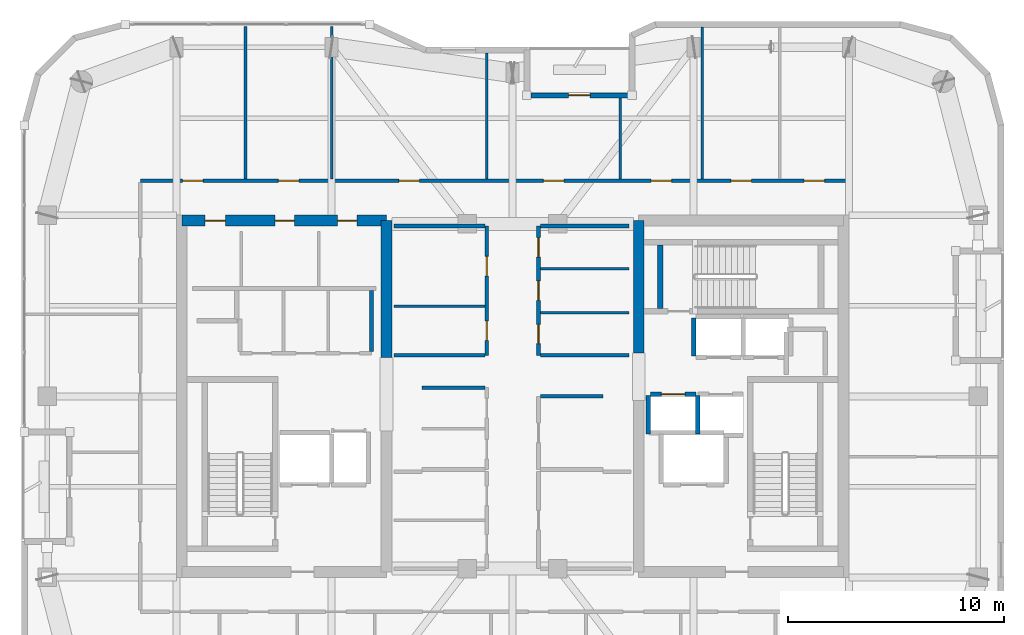
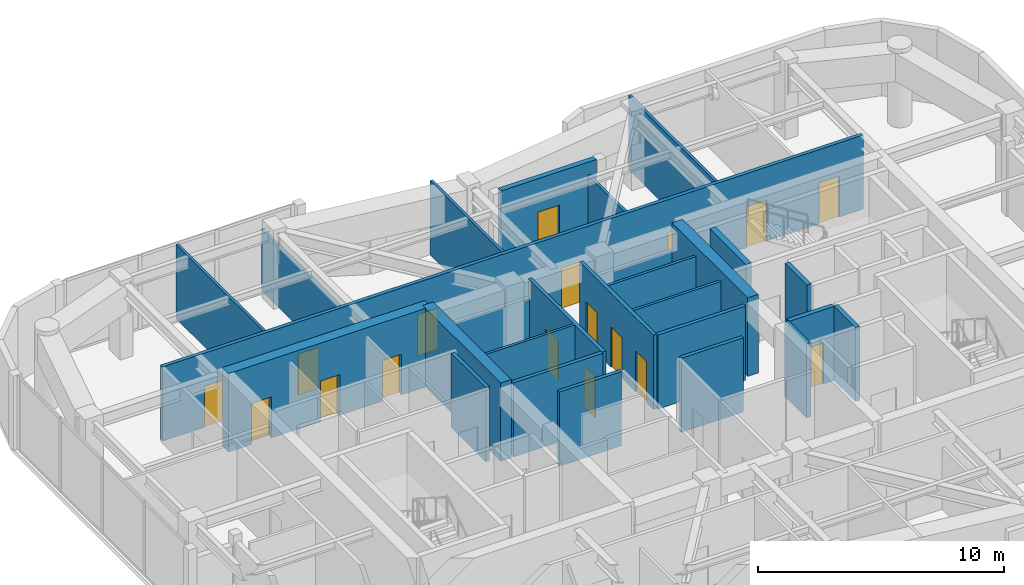
# One storey, part 12 of 16: 27 walls, 17 doors, 17 openings.
"""IFC4 building model written with IfcOpenShell, lengths in metres."""

from ifc_helpers import new_model, si_unit, direction, frame, frame_2d, origin, place, context, subcontext, project, spatial, rectangle, extrude, material, layer, layer_set, type_object, element, fill, save


model = new_model("IFC4")

# Units and contexts
model_context = context("Model", 3, precision=1e-05, world=origin(), true_north=direction((0.0, 1.0)))
body_context = subcontext(model_context, "Body", "Model", "MODEL_VIEW")
ifc_project = project(units=[si_unit("LENGTHUNIT", "METRE"), si_unit("AREAUNIT", "SQUARE_METRE"), si_unit("VOLUMEUNIT", "CUBIC_METRE"), si_unit("PLANEANGLEUNIT", "RADIAN"), si_unit("MASSUNIT", "GRAM", prefix="KILO")], contexts=[model_context])

# Site, building, storey
site_placement = place(None, origin())
site = spatial("IfcSite", under=ifc_project, at=site_placement, CompositionType="ELEMENT")
building_placement = place(site_placement, origin())
building = spatial("IfcBuilding", under=site, at=building_placement, Name="Kiyonajd Concourse Tower", CompositionType="ELEMENT")
storey_placement = place(building_placement, frame((0.0, 0.0, 306.300048828125)))
storey = spatial("IfcBuildingStorey", under=building, at=storey_placement, Name="L77", CompositionType="ELEMENT", Elevation=306.300048828125)

# Wall
ifc_material_1 = material(Name="Concrete C60/75", Category="concrete")
ifc_layer_1 = layer(ifc_material_1, 0.5)
ifc_layer_set_1 = layer_set([ifc_layer_1], Name="Concrete C60/75")
wall_type_1 = type_object("IfcWallType", Name="WL-CORE-500", PredefinedType="SHEAR", material=ifc_layer_set_1)
wall_1_placement = place(storey_placement, frame((42.14990234375, 37.800048828125, 0.0), z_axis=(0.0, 0.0, 1.0), x_axis=(0.0, 1.0, 0.0)))
element("IfcWall", 1, at=wall_1_placement, inside=storey, type_object=wall_type_1, Name="L77 West Core Inner North Shear Wall", PredefinedType="SHEAR", context=body_context, shape_type="SweptSolid", body=[
    extrude(rectangle(XDim=6.349853515625, YDim=0.5, at=frame_2d((3.1748046875, 0.0))), origin(), (0.0, 0.0, 1.0), 3.89990234375),
])

# Wall, openings, doors
wall_2_placement = place(storey_placement, frame((32.64990234375, 44.14990234375, 0.0), z_axis=(0.0, 0.0, 1.0), x_axis=(1.0, 0.0, 0.0)))
wall_2 = element("IfcWall", 2, at=wall_2_placement, inside=storey, type_object=wall_type_1, Name="L77 West Core North Shear Wall", PredefinedType="SHEAR", context=body_context, shape_type="SweptSolid", body=[
    extrude(rectangle(XDim=9.5, YDim=0.5, at=frame_2d((4.75, 0.0))), origin(), (0.0, 0.0, 1.0), 3.89990234375),
])
opening_1_placement = place(wall_2_placement, frame((1.074951171875, 0.0, 0.0)))
opening_1 = element("IfcOpeningElement", 3, at=opening_1_placement, cuts=wall_2, Name="Opening DI1", PredefinedType="OPENING", context=body_context, shape_type="SweptSolid", body=[
    extrude(rectangle(XDim=0.949951171875, YDim=2.0400390625, at=frame_2d((0.47509765625, 1.02001953125))), frame((0.0, 0.260009765625, 0.0), z_axis=(0.0, -1.0, 0.0), x_axis=(1.0, 0.0, 0.0)), (0.0, 0.0, 1.0), 0.52001953125),
])
opening_2_placement = place(wall_2_placement, frame((4.324951171875, 0.0, 0.0)))
opening_2 = element("IfcOpeningElement", 4, at=opening_2_placement, cuts=wall_2, Name="Opening DI2", PredefinedType="OPENING", context=body_context, shape_type="SweptSolid", body=[
    extrude(rectangle(XDim=0.89990234375, YDim=2.02001953125, at=frame_2d((0.449951171875, 1.010009765625))), frame((0.0, 0.260009765625, 0.0), z_axis=(0.0, -1.0, 0.0), x_axis=(1.0, 0.0, 0.0)), (0.0, 0.0, 1.0), 0.52001953125),
])
opening_3_placement = place(wall_2_placement, frame((7.22509765625, 0.0, 0.0)))
opening_3 = element("IfcOpeningElement", 5, at=opening_3_placement, cuts=wall_2, Name="Opening DI2", PredefinedType="OPENING", context=body_context, shape_type="SweptSolid", body=[
    extrude(rectangle(XDim=0.89990234375, YDim=2.02001953125, at=frame_2d((0.449951171875, 1.010009765625))), frame((0.0, 0.260009765625, 0.0), z_axis=(0.0, -1.0, 0.0), x_axis=(1.0, 0.0, 0.0)), (0.0, 0.0, 1.0), 0.52001953125),
])
ifc_material_2 = material(Name="Natural Oak Acoustic Timber Veneer", Category="wood")
door_type_1 = type_object("IfcDoorType", Name="DR-INT-900", OperationType="NOTDEFINED", PredefinedType="DOOR", material=ifc_material_2)
door_1_placement = place(opening_2_placement, origin())
door_1 = element("IfcDoor", 6, at=door_1_placement, inside=storey, type_object=door_type_1, Name="L77 Male Restroom Door", OperationType="SINGLE_SWING_RIGHT", OverallHeight=2.02001953125, OverallWidth=0.89990234375, PredefinedType="DOOR", context=body_context, shape_type="SweptSolid", body=[
    extrude(rectangle(XDim=0.89990234375, YDim=2.02001953125, at=frame_2d((0.449951171875, 1.010009765625))), frame((0.0, 0.02490234375, 0.0), z_axis=(0.0, -1.0, 0.0), x_axis=(1.0, 0.0, 0.0)), (0.0, 0.0, 1.0), 0.050048828125),
])
fill(opening_2, door_1)
door_2_placement = place(opening_3_placement, origin())
door_2 = element("IfcDoor", 7, at=door_2_placement, inside=storey, type_object=door_type_1, Name="L77 Female Restroom Door", OperationType="SINGLE_SWING_LEFT", OverallHeight=2.02001953125, OverallWidth=0.89990234375, PredefinedType="DOOR", context=body_context, shape_type="SweptSolid", body=[
    extrude(rectangle(XDim=0.89990234375, YDim=2.02001953125, at=frame_2d((0.449951171875, 1.010009765625))), frame((0.0, 0.02490234375, 0.0), z_axis=(0.0, -1.0, 0.0), x_axis=(1.0, 0.0, 0.0)), (0.0, 0.0, 1.0), 0.050048828125),
])
fill(opening_3, door_2)
door_type_2 = type_object("IfcDoorType", Name="DR-INT-950", OperationType="NOTDEFINED", PredefinedType="DOOR", material=ifc_material_2)
door_3_placement = place(opening_1_placement, origin())
door_3 = element("IfcDoor", 8, at=door_3_placement, inside=storey, type_object=door_type_2, Name="L77 Single User Accessible WC Door", OperationType="SINGLE_SWING_LEFT", OverallHeight=2.0400390625, OverallWidth=0.949951171875, PredefinedType="DOOR", context=body_context, shape_type="SweptSolid", body=[
    extrude(rectangle(XDim=0.949951171875, YDim=2.0400390625, at=frame_2d((0.47509765625, 1.02001953125))), frame((0.0, 0.02490234375, 0.0), z_axis=(0.0, -1.0, 0.0), x_axis=(1.0, 0.0, 0.0)), (0.0, 0.0, 1.0), 0.050048828125),
])
fill(opening_1, door_3)

# Wall
wall_3_placement = place(storey_placement, frame((53.85009765625, 38.0, 0.0), z_axis=(0.0, 0.0, 1.0), x_axis=(0.0, 1.0, 0.0)))
element("IfcWall", 9, at=wall_3_placement, inside=storey, type_object=wall_type_1, Name="L77 East Core Inner North Shear Wall", PredefinedType="SHEAR", context=body_context, shape_type="SweptSolid", body=[
    extrude(rectangle(XDim=6.14990234375, YDim=0.5, at=frame_2d((3.074951171875, 0.0))), origin(), (0.0, 0.0, 1.0), 3.89990234375),
])

# Wall, opening, door
ifc_material_3 = material(Name="Precast concrete C50/60", Category="concrete")
ifc_layer_2 = layer(ifc_material_3, 0.239990234375)
ifc_layer_set_2 = layer_set([ifc_layer_2], Name="Precast concrete C50/60")
wall_type_2 = type_object("IfcWallType", Name="WL-LOG-240", PredefinedType="SOLIDWALL", material=ifc_layer_set_2)
wall_4_placement = place(storey_placement, frame((48.85498046875, 49.9599609375, 0.0), z_axis=(0.0, 0.0, 1.0), x_axis=(1.0, 0.0, 0.0)))
wall_4 = element("IfcWall", 10, at=wall_4_placement, inside=storey, type_object=wall_type_2, Name="L77 Recessed Loggia Thermal Wall LOG-N", PredefinedType="SOLIDWALL", context=body_context, shape_type="SweptSolid", body=[
    extrude(rectangle(XDim=4.489990234375, YDim=0.239990234375, at=frame_2d((2.2451171875, 0.0))), origin(), (0.0, 0.0, 1.0), 3.679931640625),
])
opening_4_placement = place(wall_4_placement, frame((1.7451171875, 0.0, 0.0)))
opening_4 = element("IfcOpeningElement", 11, at=opening_4_placement, cuts=wall_4, Name="Opening DL1", PredefinedType="OPENING", context=body_context, shape_type="SweptSolid", body=[
    extrude(rectangle(XDim=1.0, YDim=2.02001953125, at=frame_2d((0.5, 1.010009765625))), frame((0.0, 0.1298828125, 0.0), z_axis=(0.0, -1.0, 0.0), x_axis=(1.0, 0.0, 0.0)), (0.0, 0.0, 1.0), 0.260009765625),
])
ifc_material_4 = material(Name="Thermally Broken Anodised Aluminium", Category="aluminium")
door_type_3 = type_object("IfcDoorType", Name="DR-LOG-1000", OperationType="NOTDEFINED", PredefinedType="DOOR", material=ifc_material_4)
door_4_placement = place(opening_4_placement, origin())
door_4 = element("IfcDoor", 12, at=door_4_placement, inside=storey, type_object=door_type_3, Name="L77 Engawa Loggia Access Door LOG-N", OperationType="SINGLE_SWING_RIGHT", OverallHeight=2.02001953125, OverallWidth=1.0, PredefinedType="DOOR", context=body_context, shape_type="SweptSolid", body=[
    extrude(rectangle(XDim=1.0, YDim=2.02001953125, at=frame_2d((0.5, 1.010009765625))), frame((0.0, 0.02490234375, 0.0), z_axis=(0.0, -1.0, 0.0), x_axis=(1.0, 0.0, 0.0)), (0.0, 0.0, 1.0), 0.050048828125),
])
fill(opening_4, door_4)

# Walls
ifc_material_5 = material(Name="Gypsum Board on Cold-Formed Steel Stud", Category="steel")
ifc_layer_3 = layer(ifc_material_5, 0.125)
ifc_layer_set_3 = layer_set([ifc_layer_3], Name="Gypsum Board on Cold-Formed Steel Stud")
wall_type_3 = type_object("IfcWallType", Name="WL-PART-125", PredefinedType="PARTITIONING", material=ifc_layer_set_3)
wall_5_placement = place(storey_placement, frame((42.5, 40.179931640625, 0.0), z_axis=(0.0, 0.0, 1.0), x_axis=(1.0, 0.0, 0.0)))
element("IfcWall", 13, at=wall_5_placement, inside=storey, type_object=wall_type_3, Name="L77 Interior Partition Wall", PredefinedType="PARTITIONING", context=body_context, shape_type="SweptSolid", body=[
    extrude(rectangle(XDim=4.212890625, YDim=0.125, at=frame_2d((2.1064453125, 0.0))), origin(), (0.0, 0.0, 1.0), 3.679931640625),
])
for number, where, z_axis, x_axis, name in (
    (14, (49.287109375, 39.8798828125, 0.0), (0.0, 0.0, 1.0), (1.0, 0.0, 0.0), "L77 Interior Partition Wall"),
    (15, (49.287109375, 41.919921875, 0.0), (0.0, 0.0, 1.0), (1.0, 0.0, 0.0), "L77 Interior Partition Wall"),
):
    element("IfcWall", number, at=place(storey_placement, frame(where, z_axis=z_axis, x_axis=x_axis)), inside=storey, type_object=wall_type_3, Name=name, PredefinedType="PARTITIONING", context=body_context, shape_type="SweptSolid", body=[
        extrude(rectangle(XDim=4.11279296875, YDim=0.125, at=frame_2d((2.056396484375, 0.0))), origin(), (0.0, 0.0, 1.0), 3.679931640625),
    ])
wall_6_placement = place(storey_placement, frame((35.60009765625, 46.0869140625, 0.0), z_axis=(0.0, 0.0, 1.0), x_axis=(0.0, 1.0, 0.0)))
element("IfcWall", 16, at=wall_6_placement, inside=storey, type_object=wall_type_3, Name="L77 Interior Partition Wall", PredefinedType="PARTITIONING", context=body_context, shape_type="SweptSolid", body=[
    extrude(rectangle(XDim=7.078125, YDim=0.125, at=frame_2d((3.5390625, 0.0))), origin(), (0.0, 0.0, 1.0), 3.679931640625),
])
wall_7_placement = place(storey_placement, frame((39.60009765625, 46.0869140625, 0.0), z_axis=(0.0, 0.0, 1.0), x_axis=(0.0, 1.0, 0.0)))
element("IfcWall", 17, at=wall_7_placement, inside=storey, type_object=wall_type_3, Name="L77 Interior Partition Wall", PredefinedType="PARTITIONING", context=body_context, shape_type="SweptSolid", body=[
    extrude(rectangle(XDim=7.078125, YDim=0.125, at=frame_2d((3.5390625, 0.0))), origin(), (0.0, 0.0, 1.0), 3.04296875),
])
wall_8_placement = place(storey_placement, frame((46.800048828125, 46.0869140625, 0.0), z_axis=(0.0, 0.0, 1.0), x_axis=(0.0, 1.0, 0.0)))
element("IfcWall", 18, at=wall_8_placement, inside=storey, type_object=wall_type_3, Name="L77 Interior Partition Wall", PredefinedType="PARTITIONING", context=body_context, shape_type="SweptSolid", body=[
    extrude(rectangle(XDim=5.838134765625, YDim=0.125, at=frame_2d((2.9189453125, 0.0))), origin(), (0.0, 0.0, 1.0), 3.679931640625),
])
wall_9_placement = place(storey_placement, frame((53.0, 46.0869140625, 0.0), z_axis=(0.0, 0.0, 1.0), x_axis=(0.0, 1.0, 0.0)))
element("IfcWall", 19, at=wall_9_placement, inside=storey, type_object=wall_type_3, Name="L77 Interior Partition Wall", PredefinedType="PARTITIONING", context=body_context, shape_type="SweptSolid", body=[
    extrude(rectangle(XDim=3.758056640625, YDim=0.125, at=frame_2d((1.87890625, 0.0))), origin(), (0.0, 0.0, 1.0), 3.04296875),
])
wall_10_placement = place(storey_placement, frame((56.800048828125, 46.0869140625, 0.0), z_axis=(0.0, 0.0, 1.0), x_axis=(0.0, 1.0, 0.0)))
element("IfcWall", 20, at=wall_10_placement, inside=storey, type_object=wall_type_3, Name="L77 Interior Partition Wall", PredefinedType="PARTITIONING", context=body_context, shape_type="SweptSolid", body=[
    extrude(rectangle(XDim=7.0380859375, YDim=0.125, at=frame_2d((3.51904296875, 0.0))), origin(), (0.0, 0.0, 1.0), 3.679931640625),
])

# Wall, opening, door
ifc_layer_4 = layer(ifc_material_5, 0.2099609375)
ifc_layer_set_4 = layer_set([ifc_layer_4], Name="Gypsum Board on Cold-Formed Steel Stud")
wall_type_4 = type_object("IfcWallType", Name="WL-SHAFT-210", PredefinedType="PARTITIONING", material=ifc_layer_set_4)
wall_11_placement = place(storey_placement, frame((54.39990234375, 36.10009765625, 0.0), z_axis=(0.0, 0.0, 1.0), x_axis=(1.0, 0.0, 0.0)))
wall_11 = element("IfcWall", 21, at=wall_11_placement, inside=storey, type_object=wall_type_4, Name="L77 Shaft Enclosure Wall", PredefinedType="PARTITIONING", context=body_context, shape_type="SweptSolid", body=[
    extrude(rectangle(XDim=2.10009765625, YDim=0.2099609375, at=frame_2d((1.050048828125, 0.0))), origin(), (0.0, 0.0, 1.0), 3.679931640625),
])
opening_5_placement = place(wall_11_placement, frame((0.5, 0.0, 0.0)))
opening_5 = element("IfcOpeningElement", 22, at=opening_5_placement, cuts=wall_11, Name="Opening LD1", PredefinedType="OPENING", context=body_context, shape_type="SweptSolid", body=[
    extrude(rectangle(XDim=1.10009765625, YDim=2.0400390625, at=frame_2d((0.550048828125, 1.02001953125))), frame((0.0, 0.114990234375, 0.0), z_axis=(0.0, -1.0, 0.0), x_axis=(1.0, 0.0, 0.0)), (0.0, 0.0, 1.0), 0.22998046875),
])
ifc_material_6 = material(Name="Brushed Stainless Steel Cab Assembly", Category="steel")
door_type_4 = type_object("IfcDoorType", Name="DR-LD-1100", OperationType="DOUBLE_DOOR_SLIDING", PredefinedType="DOOR", material=ifc_material_6)
door_5_placement = place(opening_5_placement, origin())
door_5 = element("IfcDoor", 23, at=door_5_placement, inside=storey, type_object=door_type_4, Name="L77 Lift PL-H1 Sliding Landing Door", OperationType="DOUBLE_DOOR_SLIDING", OverallHeight=2.0400390625, OverallWidth=1.10009765625, PredefinedType="DOOR", context=body_context, shape_type="SweptSolid", body=[
    extrude(rectangle(XDim=1.10009765625, YDim=2.0400390625, at=frame_2d((0.550048828125, 1.02001953125))), frame((0.0, 0.02490234375, 0.0), z_axis=(0.0, -1.0, 0.0), x_axis=(1.0, 0.0, 0.0)), (0.0, 0.0, 1.0), 0.050048828125),
])
fill(opening_5, door_5)

# Walls
for number, where, z_axis, x_axis, name in (
    (24, (54.300048828125, 34.260009765625, 0.0), (0.0, 0.0, 1.0), (0.0, 1.0, 0.0), "L77 Shaft Enclosure Wall"),
    (25, (56.60009765625, 34.260009765625, 0.0), (0.0, 0.0, 1.0), (0.0, 1.0, 0.0), "L77 Shaft Enclosure Wall"),
):
    element("IfcWall", number, at=place(storey_placement, frame(where, z_axis=z_axis, x_axis=x_axis)), inside=storey, type_object=wall_type_4, Name=name, PredefinedType="PARTITIONING", context=body_context, shape_type="SweptSolid", body=[
        extrude(rectangle(XDim=1.780029296875, YDim=0.2099609375, at=frame_2d((0.89013671875, 0.0))), origin(), (0.0, 0.0, 1.0), 3.679931640625),
    ])
wall_12_placement = place(storey_placement, frame((56.39990234375, 37.860107421875, 0.0), z_axis=(0.0, 0.0, 1.0), x_axis=(0.0, 1.0, 0.0)))
element("IfcWall", 26, at=wall_12_placement, inside=storey, type_object=wall_type_4, Name="L77 Shaft Enclosure Wall", PredefinedType="PARTITIONING", context=body_context, shape_type="SweptSolid", body=[
    extrude(rectangle(XDim=1.77978515625, YDim=0.2099609375, at=frame_2d((0.889892578125, 0.0))), origin(), (0.0, 0.0, 1.0), 3.679931640625),
])
ifc_layer_5 = layer(ifc_material_5, 0.169921875)
ifc_layer_set_5 = layer_set([ifc_layer_5], Name="Gypsum Board on Cold-Formed Steel Stud")
wall_type_5 = type_object("IfcWallType", Name="WL-SMK-170", PredefinedType="PARTITIONING", material=ifc_layer_set_5)
wall_13_placement = place(storey_placement, frame((41.449951171875, 38.0869140625, 0.0), z_axis=(0.0, 0.0, 1.0), x_axis=(0.0, 1.0, 0.0)))
element("IfcWall", 27, at=wall_13_placement, inside=storey, type_object=wall_type_5, Name="L77 Interior Partition Wall", PredefinedType="PARTITIONING", context=body_context, shape_type="SweptSolid", body=[
    extrude(rectangle(XDim=2.81298828125, YDim=0.169921875, at=frame_2d((1.406494140625, 0.0))), origin(), (0.0, 0.0, 1.0), 3.679931640625),
])
for number, where, z_axis, x_axis, name in (
    (28, (43.800048828125, 36.39990234375, 0.0), (0.0, 0.0, 1.0), (1.0, 0.0, 0.0), "L77 Interior Partition Wall"),
    (29, (49.287109375, 36.0, 0.0), (0.0, 0.0, 1.0), (1.0, 0.0, 0.0), "L77 Interior Partition Wall"),
):
    element("IfcWall", number, at=place(storey_placement, frame(where, z_axis=z_axis, x_axis=x_axis)), inside=storey, type_object=wall_type_5, Name=name, PredefinedType="PARTITIONING", context=body_context, shape_type="SweptSolid", body=[
        extrude(rectangle(XDim=2.912841796875, YDim=0.169921875, at=frame_2d((1.45654296875, 0.0))), origin(), (0.0, 0.0, 1.0), 3.679931640625),
    ])

# Wall, openings, doors
wall_14_placement = place(storey_placement, frame((46.800048828125, 37.89990234375, 0.0), z_axis=(0.0, 0.0, 1.0), x_axis=(0.0, 1.0, 0.0)))
wall_14 = element("IfcWall", 30, at=wall_14_placement, inside=storey, type_object=wall_type_5, Name="L77 Interior Partition Wall", PredefinedType="PARTITIONING", context=body_context, shape_type="SweptSolid", body=[
    extrude(rectangle(XDim=6.0, YDim=0.169921875, at=frame_2d((3.0, 0.0))), origin(), (0.0, 0.0, 1.0), 3.679931640625),
])
opening_6_placement = place(wall_14_placement, frame((0.68994140625, 0.0, 0.0)))
opening_6 = element("IfcOpeningElement", 31, at=opening_6_placement, cuts=wall_14, Name="Opening DI2", PredefinedType="OPENING", context=body_context, shape_type="SweptSolid", body=[
    extrude(rectangle(XDim=0.89990234375, YDim=2.02001953125, at=frame_2d((0.449951171875, 1.010009765625))), frame((0.0, 0.094970703125, 0.0), z_axis=(0.0, -1.0, 0.0), x_axis=(1.0, 0.0, 0.0)), (0.0, 0.0, 1.0), 0.18994140625),
])
opening_7_placement = place(wall_14_placement, frame((3.68994140625, 0.0, 0.0)))
opening_7 = element("IfcOpeningElement", 32, at=opening_7_placement, cuts=wall_14, Name="Opening DI2", PredefinedType="OPENING", context=body_context, shape_type="SweptSolid", body=[
    extrude(rectangle(XDim=0.89990234375, YDim=2.02001953125, at=frame_2d((0.449951171875, 1.010009765625))), frame((0.0, 0.094970703125, 0.0), z_axis=(0.0, -1.0, 0.0), x_axis=(1.0, 0.0, 0.0)), (0.0, 0.0, 1.0), 0.18994140625),
])
door_6_placement = place(opening_6_placement, origin())
door_6 = element("IfcDoor", 33, at=door_6_placement, inside=storey, type_object=door_type_1, Name="L77 Interior Door", OperationType="SINGLE_SWING_RIGHT", OverallHeight=2.02001953125, OverallWidth=0.89990234375, PredefinedType="DOOR", context=body_context, shape_type="SweptSolid", body=[
    extrude(rectangle(XDim=0.89990234375, YDim=2.02001953125, at=frame_2d((0.449951171875, 1.010009765625))), frame((0.0, 0.02490234375, 0.0), z_axis=(0.0, -1.0, 0.0), x_axis=(1.0, 0.0, 0.0)), (0.0, 0.0, 1.0), 0.050048828125),
])
fill(opening_6, door_6)
door_7_placement = place(opening_7_placement, origin())
door_7 = element("IfcDoor", 34, at=door_7_placement, inside=storey, type_object=door_type_1, Name="L77 Interior Door", OperationType="SINGLE_SWING_LEFT", OverallHeight=2.02001953125, OverallWidth=0.89990234375, PredefinedType="DOOR", context=body_context, shape_type="SweptSolid", body=[
    extrude(rectangle(XDim=0.89990234375, YDim=2.02001953125, at=frame_2d((0.449951171875, 1.010009765625))), frame((0.0, 0.02490234375, 0.0), z_axis=(0.0, -1.0, 0.0), x_axis=(1.0, 0.0, 0.0)), (0.0, 0.0, 1.0), 0.050048828125),
])
fill(opening_7, door_7)

# Walls
wall_15_placement = place(storey_placement, frame((42.5, 37.89990234375, 0.0), z_axis=(0.0, 0.0, 1.0), x_axis=(1.0, 0.0, 0.0)))
element("IfcWall", 35, at=wall_15_placement, inside=storey, type_object=wall_type_5, Name="L77 Interior Partition Wall", PredefinedType="PARTITIONING", context=body_context, shape_type="SweptSolid", body=[
    extrude(rectangle(XDim=4.212890625, YDim=0.169921875, at=frame_2d((2.1064453125, 0.0))), origin(), (0.0, 0.0, 1.0), 3.679931640625),
])
wall_16_placement = place(storey_placement, frame((42.5, 43.89990234375, 0.0), z_axis=(0.0, 0.0, 1.0), x_axis=(1.0, 0.0, 0.0)))
element("IfcWall", 36, at=wall_16_placement, inside=storey, type_object=wall_type_5, Name="L77 Interior Partition Wall", PredefinedType="PARTITIONING", context=body_context, shape_type="SweptSolid", body=[
    extrude(rectangle(XDim=4.212890625, YDim=0.169921875, at=frame_2d((2.1064453125, 0.0))), origin(), (0.0, 0.0, 1.0), 2.764892578125),
])

# Wall, openings, doors
wall_17_placement = place(storey_placement, frame((49.199951171875, 37.89990234375, 0.0), z_axis=(0.0, 0.0, 1.0), x_axis=(0.0, 1.0, 0.0)))
wall_17 = element("IfcWall", 37, at=wall_17_placement, inside=storey, type_object=wall_type_5, Name="L77 Interior Partition Wall", PredefinedType="PARTITIONING", context=body_context, shape_type="SweptSolid", body=[
    extrude(rectangle(XDim=6.0, YDim=0.169921875, at=frame_2d((3.0, 0.0))), origin(), (0.0, 0.0, 1.0), 3.679931640625),
])
opening_8_placement = place(wall_17_placement, frame((0.5400390625, 0.0, 0.0)))
opening_8 = element("IfcOpeningElement", 38, at=opening_8_placement, cuts=wall_17, Name="Opening DI2", PredefinedType="OPENING", context=body_context, shape_type="SweptSolid", body=[
    extrude(rectangle(XDim=0.89990234375, YDim=2.02001953125, at=frame_2d((0.449951171875, 1.010009765625))), frame((0.0, 0.094970703125, 0.0), z_axis=(0.0, -1.0, 0.0), x_axis=(1.0, 0.0, 0.0)), (0.0, 0.0, 1.0), 0.18994140625),
])
opening_9_placement = place(wall_17_placement, frame((2.550048828125, 0.0, 0.0)))
opening_9 = element("IfcOpeningElement", 39, at=opening_9_placement, cuts=wall_17, Name="Opening DI2", PredefinedType="OPENING", context=body_context, shape_type="SweptSolid", body=[
    extrude(rectangle(XDim=0.89990234375, YDim=2.02001953125, at=frame_2d((0.449951171875, 1.010009765625))), frame((0.0, 0.094970703125, 0.0), z_axis=(0.0, -1.0, 0.0), x_axis=(1.0, 0.0, 0.0)), (0.0, 0.0, 1.0), 0.18994140625),
])
opening_10_placement = place(wall_17_placement, frame((4.56005859375, 0.0, 0.0)))
opening_10 = element("IfcOpeningElement", 40, at=opening_10_placement, cuts=wall_17, Name="Opening DI2", PredefinedType="OPENING", context=body_context, shape_type="SweptSolid", body=[
    extrude(rectangle(XDim=0.89990234375, YDim=2.02001953125, at=frame_2d((0.449951171875, 1.010009765625))), frame((0.0, 0.094970703125, 0.0), z_axis=(0.0, -1.0, 0.0), x_axis=(1.0, 0.0, 0.0)), (0.0, 0.0, 1.0), 0.18994140625),
])
door_8_placement = place(opening_8_placement, origin())
door_8 = element("IfcDoor", 41, at=door_8_placement, inside=storey, type_object=door_type_1, Name="L77 Interior Door", OperationType="SINGLE_SWING_RIGHT", OverallHeight=2.02001953125, OverallWidth=0.89990234375, PredefinedType="DOOR", context=body_context, shape_type="SweptSolid", body=[
    extrude(rectangle(XDim=0.89990234375, YDim=2.02001953125, at=frame_2d((0.449951171875, 1.010009765625))), frame((0.0, 0.02490234375, 0.0), z_axis=(0.0, -1.0, 0.0), x_axis=(1.0, 0.0, 0.0)), (0.0, 0.0, 1.0), 0.050048828125),
])
fill(opening_8, door_8)
door_9_placement = place(opening_9_placement, origin())
door_9 = element("IfcDoor", 42, at=door_9_placement, inside=storey, type_object=door_type_1, Name="L77 Interior Door", OperationType="SINGLE_SWING_LEFT", OverallHeight=2.02001953125, OverallWidth=0.89990234375, PredefinedType="DOOR", context=body_context, shape_type="SweptSolid", body=[
    extrude(rectangle(XDim=0.89990234375, YDim=2.02001953125, at=frame_2d((0.449951171875, 1.010009765625))), frame((0.0, 0.02490234375, 0.0), z_axis=(0.0, -1.0, 0.0), x_axis=(1.0, 0.0, 0.0)), (0.0, 0.0, 1.0), 0.050048828125),
])
fill(opening_9, door_9)
door_10_placement = place(opening_10_placement, origin())
door_10 = element("IfcDoor", 43, at=door_10_placement, inside=storey, type_object=door_type_1, Name="L77 Interior Door", OperationType="SINGLE_SWING_RIGHT", OverallHeight=2.02001953125, OverallWidth=0.89990234375, PredefinedType="DOOR", context=body_context, shape_type="SweptSolid", body=[
    extrude(rectangle(XDim=0.89990234375, YDim=2.02001953125, at=frame_2d((0.449951171875, 1.010009765625))), frame((0.0, 0.02490234375, 0.0), z_axis=(0.0, -1.0, 0.0), x_axis=(1.0, 0.0, 0.0)), (0.0, 0.0, 1.0), 0.050048828125),
])
fill(opening_10, door_10)

# Walls
wall_18_placement = place(storey_placement, frame((49.287109375, 37.89990234375, 0.0), z_axis=(0.0, 0.0, 1.0), x_axis=(1.0, 0.0, 0.0)))
element("IfcWall", 44, at=wall_18_placement, inside=storey, type_object=wall_type_5, Name="L77 Interior Partition Wall", PredefinedType="PARTITIONING", context=body_context, shape_type="SweptSolid", body=[
    extrude(rectangle(XDim=4.11279296875, YDim=0.169921875, at=frame_2d((2.056396484375, 0.0))), origin(), (0.0, 0.0, 1.0), 3.679931640625),
])
wall_19_placement = place(storey_placement, frame((49.287109375, 43.89990234375, 0.0), z_axis=(0.0, 0.0, 1.0), x_axis=(1.0, 0.0, 0.0)))
element("IfcWall", 45, at=wall_19_placement, inside=storey, type_object=wall_type_5, Name="L77 Interior Partition Wall", PredefinedType="PARTITIONING", context=body_context, shape_type="SweptSolid", body=[
    extrude(rectangle(XDim=4.11279296875, YDim=0.169921875, at=frame_2d((2.056396484375, 0.0))), origin(), (0.0, 0.0, 1.0), 2.764892578125),
])

# Wall, openings, doors
wall_20_placement = place(storey_placement, frame((30.72509765625, 46.0, 0.0), z_axis=(0.0, 0.0, 1.0), x_axis=(1.0, 0.0, 0.0)))
wall_20 = element("IfcWall", 46, at=wall_20_placement, inside=storey, type_object=wall_type_5, Name="L77 Interior Partition Wall", PredefinedType="PARTITIONING", context=body_context, shape_type="SweptSolid", body=[
    extrude(rectangle(XDim=32.875, YDim=0.169921875, at=frame_2d((16.4375, 0.0))), origin(), (0.0, 0.0, 1.0), 3.679931640625),
])
opening_11_placement = place(wall_20_placement, frame((1.9619140625, 0.0, 0.0)))
opening_11 = element("IfcOpeningElement", 47, at=opening_11_placement, cuts=wall_20, Name="Opening DI1", PredefinedType="OPENING", context=body_context, shape_type="SweptSolid", body=[
    extrude(rectangle(XDim=0.949951171875, YDim=2.0400390625, at=frame_2d((0.47509765625, 1.02001953125))), frame((0.0, 0.094970703125, 0.0), z_axis=(0.0, -1.0, 0.0), x_axis=(1.0, 0.0, 0.0)), (0.0, 0.0, 1.0), 0.18994140625),
])
opening_12_placement = place(wall_20_placement, frame((6.39990234375, 0.0, 0.0)))
opening_12 = element("IfcOpeningElement", 48, at=opening_12_placement, cuts=wall_20, Name="Opening DI1", PredefinedType="OPENING", context=body_context, shape_type="SweptSolid", body=[
    extrude(rectangle(XDim=0.949951171875, YDim=2.0400390625, at=frame_2d((0.47509765625, 1.02001953125))), frame((0.0, 0.094970703125, 0.0), z_axis=(0.0, -1.0, 0.0), x_axis=(1.0, 0.0, 0.0)), (0.0, 0.0, 1.0), 0.18994140625),
])
opening_13_placement = place(wall_20_placement, frame((12.0, 0.0, 0.0)))
opening_13 = element("IfcOpeningElement", 49, at=opening_13_placement, cuts=wall_20, Name="Opening DI1", PredefinedType="OPENING", context=body_context, shape_type="SweptSolid", body=[
    extrude(rectangle(XDim=0.949951171875, YDim=2.0400390625, at=frame_2d((0.47509765625, 1.02001953125))), frame((0.0, 0.094970703125, 0.0), z_axis=(0.0, -1.0, 0.0), x_axis=(1.0, 0.0, 0.0)), (0.0, 0.0, 1.0), 0.18994140625),
])
opening_14_placement = place(wall_20_placement, frame((18.699951171875, 0.0, 0.0)))
opening_14 = element("IfcOpeningElement", 50, at=opening_14_placement, cuts=wall_20, Name="Opening DI1", PredefinedType="OPENING", context=body_context, shape_type="SweptSolid", body=[
    extrude(rectangle(XDim=0.949951171875, YDim=2.0400390625, at=frame_2d((0.47509765625, 1.02001953125))), frame((0.0, 0.094970703125, 0.0), z_axis=(0.0, -1.0, 0.0), x_axis=(1.0, 0.0, 0.0)), (0.0, 0.0, 1.0), 0.18994140625),
])
opening_15_placement = place(wall_20_placement, frame((23.699951171875, 0.0, 0.0)))
opening_15 = element("IfcOpeningElement", 51, at=opening_15_placement, cuts=wall_20, Name="Opening DI1", PredefinedType="OPENING", context=body_context, shape_type="SweptSolid", body=[
    extrude(rectangle(XDim=0.949951171875, YDim=2.0400390625, at=frame_2d((0.47509765625, 1.02001953125))), frame((0.0, 0.094970703125, 0.0), z_axis=(0.0, -1.0, 0.0), x_axis=(1.0, 0.0, 0.0)), (0.0, 0.0, 1.0), 0.18994140625),
])
opening_16_placement = place(wall_20_placement, frame((27.39990234375, 0.0, 0.0)))
opening_16 = element("IfcOpeningElement", 52, at=opening_16_placement, cuts=wall_20, Name="Opening DI1", PredefinedType="OPENING", context=body_context, shape_type="SweptSolid", body=[
    extrude(rectangle(XDim=0.949951171875, YDim=2.0400390625, at=frame_2d((0.47509765625, 1.02001953125))), frame((0.0, 0.094970703125, 0.0), z_axis=(0.0, -1.0, 0.0), x_axis=(1.0, 0.0, 0.0)), (0.0, 0.0, 1.0), 0.18994140625),
])
opening_17_placement = place(wall_20_placement, frame((30.800048828125, 0.0, 0.0)))
opening_17 = element("IfcOpeningElement", 53, at=opening_17_placement, cuts=wall_20, Name="Opening DI1", PredefinedType="OPENING", context=body_context, shape_type="SweptSolid", body=[
    extrude(rectangle(XDim=0.949951171875, YDim=2.0400390625, at=frame_2d((0.47509765625, 1.02001953125))), frame((0.0, 0.094970703125, 0.0), z_axis=(0.0, -1.0, 0.0), x_axis=(1.0, 0.0, 0.0)), (0.0, 0.0, 1.0), 0.18994140625),
])
door_11_placement = place(opening_11_placement, origin())
door_11 = element("IfcDoor", 54, at=door_11_placement, inside=storey, type_object=door_type_2, Name="L77 Interior Door", OperationType="SINGLE_SWING_RIGHT", OverallHeight=2.0400390625, OverallWidth=0.949951171875, PredefinedType="DOOR", context=body_context, shape_type="SweptSolid", body=[
    extrude(rectangle(XDim=0.949951171875, YDim=2.0400390625, at=frame_2d((0.47509765625, 1.02001953125))), frame((0.0, 0.02490234375, 0.0), z_axis=(0.0, -1.0, 0.0), x_axis=(1.0, 0.0, 0.0)), (0.0, 0.0, 1.0), 0.050048828125),
])
fill(opening_11, door_11)
door_12_placement = place(opening_12_placement, origin())
door_12 = element("IfcDoor", 55, at=door_12_placement, inside=storey, type_object=door_type_2, Name="L77 Interior Door", OperationType="SINGLE_SWING_LEFT", OverallHeight=2.0400390625, OverallWidth=0.949951171875, PredefinedType="DOOR", context=body_context, shape_type="SweptSolid", body=[
    extrude(rectangle(XDim=0.949951171875, YDim=2.0400390625, at=frame_2d((0.47509765625, 1.02001953125))), frame((0.0, 0.02490234375, 0.0), z_axis=(0.0, -1.0, 0.0), x_axis=(1.0, 0.0, 0.0)), (0.0, 0.0, 1.0), 0.050048828125),
])
fill(opening_12, door_12)
door_13_placement = place(opening_13_placement, origin())
door_13 = element("IfcDoor", 56, at=door_13_placement, inside=storey, type_object=door_type_2, Name="L77 Interior Door", OperationType="SINGLE_SWING_RIGHT", OverallHeight=2.0400390625, OverallWidth=0.949951171875, PredefinedType="DOOR", context=body_context, shape_type="SweptSolid", body=[
    extrude(rectangle(XDim=0.949951171875, YDim=2.0400390625, at=frame_2d((0.47509765625, 1.02001953125))), frame((0.0, 0.02490234375, 0.0), z_axis=(0.0, -1.0, 0.0), x_axis=(1.0, 0.0, 0.0)), (0.0, 0.0, 1.0), 0.050048828125),
])
fill(opening_13, door_13)
door_14_placement = place(opening_14_placement, origin())
door_14 = element("IfcDoor", 57, at=door_14_placement, inside=storey, type_object=door_type_2, Name="L77 Interior Door", OperationType="SINGLE_SWING_LEFT", OverallHeight=2.0400390625, OverallWidth=0.949951171875, PredefinedType="DOOR", context=body_context, shape_type="SweptSolid", body=[
    extrude(rectangle(XDim=0.949951171875, YDim=2.0400390625, at=frame_2d((0.47509765625, 1.02001953125))), frame((0.0, 0.02490234375, 0.0), z_axis=(0.0, -1.0, 0.0), x_axis=(1.0, 0.0, 0.0)), (0.0, 0.0, 1.0), 0.050048828125),
])
fill(opening_14, door_14)
door_15_placement = place(opening_15_placement, origin())
door_15 = element("IfcDoor", 58, at=door_15_placement, inside=storey, type_object=door_type_2, Name="L77 Interior Door", OperationType="SINGLE_SWING_RIGHT", OverallHeight=2.0400390625, OverallWidth=0.949951171875, PredefinedType="DOOR", context=body_context, shape_type="SweptSolid", body=[
    extrude(rectangle(XDim=0.949951171875, YDim=2.0400390625, at=frame_2d((0.47509765625, 1.02001953125))), frame((0.0, 0.02490234375, 0.0), z_axis=(0.0, -1.0, 0.0), x_axis=(1.0, 0.0, 0.0)), (0.0, 0.0, 1.0), 0.050048828125),
])
fill(opening_15, door_15)
door_16_placement = place(opening_16_placement, origin())
door_16 = element("IfcDoor", 59, at=door_16_placement, inside=storey, type_object=door_type_2, Name="L77 Interior Door", OperationType="SINGLE_SWING_LEFT", OverallHeight=2.0400390625, OverallWidth=0.949951171875, PredefinedType="DOOR", context=body_context, shape_type="SweptSolid", body=[
    extrude(rectangle(XDim=0.949951171875, YDim=2.0400390625, at=frame_2d((0.47509765625, 1.02001953125))), frame((0.0, 0.02490234375, 0.0), z_axis=(0.0, -1.0, 0.0), x_axis=(1.0, 0.0, 0.0)), (0.0, 0.0, 1.0), 0.050048828125),
])
fill(opening_16, door_16)
door_17_placement = place(opening_17_placement, origin())
door_17 = element("IfcDoor", 60, at=door_17_placement, inside=storey, type_object=door_type_2, Name="L77 Interior Door", OperationType="SINGLE_SWING_RIGHT", OverallHeight=2.0400390625, OverallWidth=0.949951171875, PredefinedType="DOOR", context=body_context, shape_type="SweptSolid", body=[
    extrude(rectangle(XDim=0.949951171875, YDim=2.0400390625, at=frame_2d((0.47509765625, 1.02001953125))), frame((0.0, 0.02490234375, 0.0), z_axis=(0.0, -1.0, 0.0), x_axis=(1.0, 0.0, 0.0)), (0.0, 0.0, 1.0), 0.050048828125),
])
fill(opening_17, door_17)

# Wall
ifc_material_7 = material(Name="Concrete C50/60", Category="concrete")
ifc_layer_6 = layer(ifc_material_7, 0.260009765625)
ifc_layer_set_6 = layer_set([ifc_layer_6], Name="Concrete C50/60")
wall_type_6 = type_object("IfcWallType", Name="WL-STAIR-260", PredefinedType="SHEAR", material=ifc_layer_set_6)
wall_21_placement = place(storey_placement, frame((54.85009765625, 40.080078125, 0.0), z_axis=(0.0, 0.0, 1.0), x_axis=(0.0, 1.0, 0.0)))
element("IfcWall", 61, at=wall_21_placement, inside=storey, type_object=wall_type_6, Name="L77 Stair ST3 Structural West Wall", PredefinedType="SHEAR", context=body_context, shape_type="SweptSolid", body=[
    extrude(rectangle(XDim=2.93994140625, YDim=0.260009765625, at=frame_2d((1.469970703125, 0.0))), origin(), (0.0, 0.0, 1.0), 3.89990234375),
])

save(model, "model.ifc")
